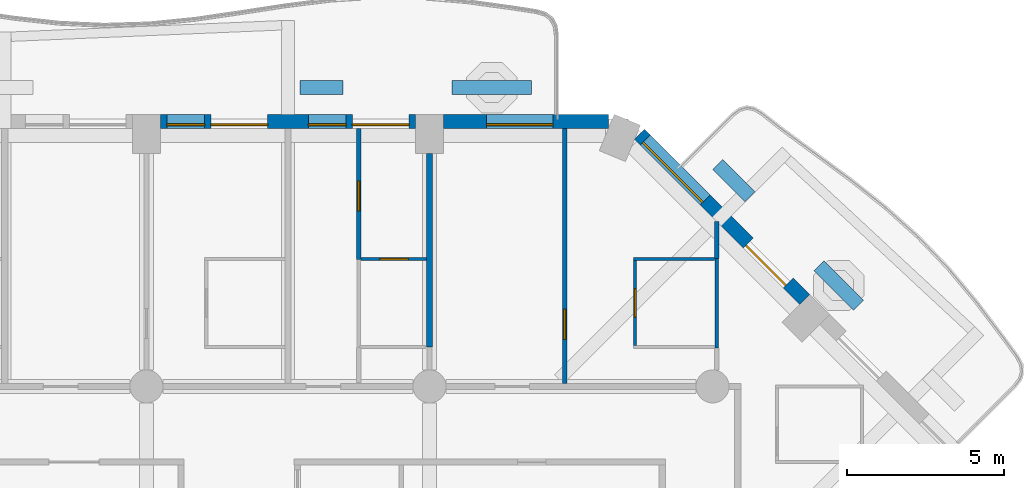
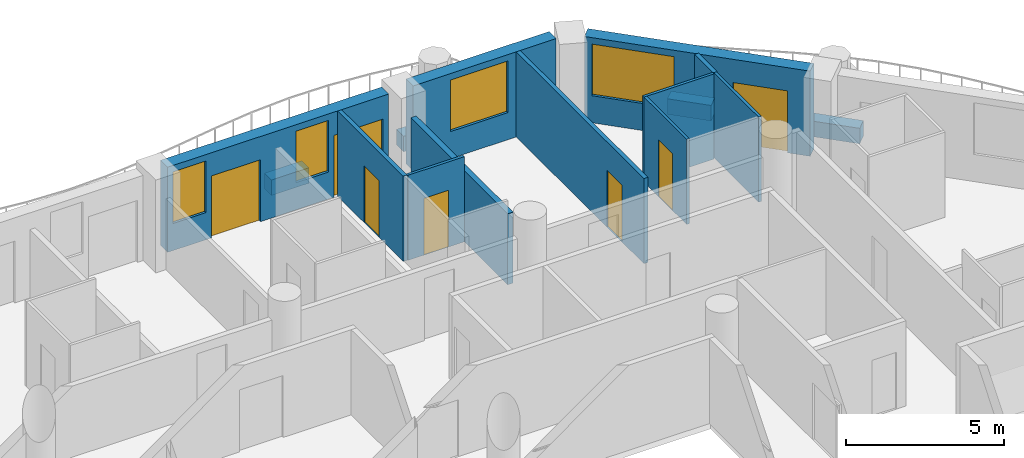
# One storey, part 10 of 20: 15 walls, 7 doors, 4 windows, 11 openings.
"""IFC4 building model written with IfcOpenShell, lengths in metres."""

from ifc_helpers import new_model, si_unit, direction, frame, frame_2d, origin, place, context, subcontext, project, spatial, rectangle, extrude, material, layer, layer_set, type_object, element, fill, save


model = new_model("IFC4")

# Units and contexts
model_context = context("Model", 3, precision=1e-05, world=origin(), true_north=direction((0.0, 1.0)))
body_context = subcontext(model_context, "Body", "Model", "MODEL_VIEW")
ifc_project = project(units=[si_unit("LENGTHUNIT", "METRE"), si_unit("AREAUNIT", "SQUARE_METRE"), si_unit("VOLUMEUNIT", "CUBIC_METRE"), si_unit("PLANEANGLEUNIT", "RADIAN"), si_unit("MASSUNIT", "GRAM", prefix="KILO")], contexts=[model_context])

# Site, building, storey
site_placement = place(None, origin())
site = spatial("IfcSite", under=ifc_project, at=site_placement, CompositionType="ELEMENT")
building_placement = place(site_placement, origin())
building = spatial("IfcBuilding", under=site, at=building_placement, Name="Cypress Arch Tower", CompositionType="ELEMENT")
storey_placement = place(building_placement, frame((0.0, 0.0, 134.699951171875)))
storey = spatial("IfcBuildingStorey", under=building, at=storey_placement, Name="L29", CompositionType="ELEMENT", Elevation=134.699951171875)

# Walls
ifc_material_1 = material(Name="Concrete C40/50, waterproofed", Category="concrete")
ifc_layer_1 = layer(ifc_material_1, 0.449951171875)
ifc_layer_set_1 = layer_set([ifc_layer_1], Name="Balcony planter wall PW450")
wall_type_1 = type_object("IfcWallType", Name="Balcony planter wall PW450", PredefinedType="SOLIDWALL", material=ifc_layer_set_1)
wall_1_placement = place(storey_placement, frame((19.9365234375, 20.07763671875, 0.0), z_axis=(0.0, 0.0, 1.0), x_axis=(-0.707106781187, 0.707106781187, 0.0)))
element("IfcWall", 1, at=wall_1_placement, inside=storey, type_object=wall_type_1, Name="Balcony planter wall L29-A07.2", PredefinedType="SOLIDWALL", context=body_context, shape_type="SweptSolid", body=[
    extrude(rectangle(XDim=1.780517578125, YDim=0.449951171875, at=frame_2d((0.89013671875, 0.0))), origin(), (0.0, 0.0, 1.0), 0.60009765625),
])
wall_2_placement = place(storey_placement, frame((16.485595703125, 23.528564453125, 0.0), z_axis=(0.0, 0.0, 1.0), x_axis=(-0.707022305137, 0.707191247145, 0.0)))
element("IfcWall", 2, at=wall_2_placement, inside=storey, type_object=wall_type_1, Name="Balcony planter wall L29-A07.3", PredefinedType="SOLIDWALL", context=body_context, shape_type="SweptSolid", body=[
    extrude(rectangle(XDim=1.445068359375, YDim=0.449951171875, at=frame_2d((0.72265625, 0.0))), origin(), (0.0, 0.0, 1.0), 0.60009765625),
])
wall_3_placement = place(storey_placement, frame((9.550048828125, 27.0, 0.0), z_axis=(0.0, 0.0, 1.0), x_axis=(-1.0, 0.0, 0.0)))
element("IfcWall", 3, at=wall_3_placement, inside=storey, type_object=wall_type_1, Name="Balcony planter wall L29-A08.1", PredefinedType="SOLIDWALL", context=body_context, shape_type="SweptSolid", body=[
    extrude(rectangle(XDim=2.53759765625, YDim=0.449951171875, at=frame_2d((1.268798828125, 0.0))), origin(), (0.0, 0.0, 1.0), 0.60009765625),
])
wall_4_placement = place(storey_placement, frame((3.550048828125, 27.0, 0.0), z_axis=(0.0, 0.0, 1.0), x_axis=(-1.0, 0.0, 0.0)))
element("IfcWall", 4, at=wall_4_placement, inside=storey, type_object=wall_type_1, Name="Balcony planter wall L29-A08.2", PredefinedType="SOLIDWALL", context=body_context, shape_type="SweptSolid", body=[
    extrude(rectangle(XDim=1.375, YDim=0.449951171875, at=frame_2d((0.6875, 0.0))), origin(), (0.0, 0.0, 1.0), 0.60009765625),
])

# Wall, openings, door, window
ifc_material_2 = material(Name="Brick (red buff blend)", Category="masonry")
ifc_layer_2 = layer(ifc_material_2, 0.449951171875)
ifc_layer_set_2 = layer_set([ifc_layer_2], Name="Brick pier and spandrel wall BW450")
wall_type_2 = type_object("IfcWallType", Name="Brick pier and spandrel wall BW450", PredefinedType="SOLIDWALL", material=ifc_layer_set_2)
wall_5_placement = place(storey_placement, frame((18.228759765625, 20.26513671875, 0.0), z_axis=(0.0, 0.0, 1.0), x_axis=(-0.707106781187, 0.707106781187, 0.0)))
wall_5 = element("IfcWall", 5, at=wall_5_placement, inside=storey, type_object=wall_type_2, Name="Brick wall L29 A07.1", PredefinedType="SOLIDWALL", context=body_context, shape_type="SweptSolid", body=[
    extrude(rectangle(XDim=7.423828125, YDim=0.449951171875, at=frame_2d((3.7119140625, 0.0))), origin(), (0.0, 0.0, 1.0), 3.300048828125),
])
opening_1_placement = place(wall_5_placement, frame((0.740234375, 0.0, 0.0)))
opening_1 = element("IfcOpeningElement", 6, at=opening_1_placement, cuts=wall_5, Name="Opening D-L29-A07.1.1", PredefinedType="OPENING", context=body_context, shape_type="SweptSolid", body=[
    extrude(rectangle(XDim=1.800048828125, YDim=2.39990234375, at=frame_2d((0.89990234375, 1.199951171875))), frame((0.0, 0.23486328125, 0.0), z_axis=(0.0, -1.0, 0.0), x_axis=(1.0, 0.0, 0.0)), (0.0, 0.0, 1.0), 0.469970703125),
])
opening_2_placement = place(wall_5_placement, frame((4.470703125, 0.0, 1.050048828125)))
opening_2 = element("IfcOpeningElement", 7, at=opening_2_placement, cuts=wall_5, Name="Opening W270HD", PredefinedType="OPENING", context=body_context, shape_type="SweptSolid", body=[
    extrude(rectangle(XDim=2.699951171875, YDim=2.0, at=frame_2d((1.35009765625, 1.0))), frame((0.0, 0.23486328125, 0.0), z_axis=(0.0, -1.0, 0.0), x_axis=(1.0, 0.0, 0.0)), (0.0, 0.0, 1.0), 0.469970703125),
])
ifc_material_3 = material(Name="Anodised aluminium, bronze finish, laminated low-emissivity double glazing, large-missile impact rated", Category="aluminium")
door_type_1 = type_object("IfcDoorType", Name="Balcony sliding door 1800x2400", OperationType="SLIDING_TO_LEFT", PredefinedType="DOOR", material=ifc_material_3)
door_1_placement = place(opening_1_placement, origin())
door_1 = element("IfcDoor", 8, at=door_1_placement, inside=storey, type_object=door_type_1, Name="Balcony door L29 A07.1.1", OperationType="SLIDING_TO_LEFT", OverallHeight=2.39990234375, OverallWidth=1.800048828125, PredefinedType="DOOR", context=body_context, shape_type="SweptSolid", body=[
    extrude(rectangle(XDim=1.800048828125, YDim=2.39990234375, at=frame_2d((0.89990234375, 1.199951171875))), frame((0.0, 0.1298828125, 0.0), z_axis=(0.0, -1.0, 0.0), x_axis=(1.0, 0.0, 0.0)), (0.0, 0.0, 1.0), 0.050048828125),
])
fill(opening_1, door_1)
ifc_material_4 = material(Name="Anodised aluminium, bronze finish, laminated low-emissivity double glazing, large-missile impact rated", Category="aluminium")
window_type_1 = type_object("IfcWindowType", Name="Window Hotel 2700x2000 debris-rated", PartitioningType="SINGLE_PANEL", PredefinedType="WINDOW", material=ifc_material_4)
window_1_placement = place(opening_2_placement, origin())
window_1 = element("IfcWindow", 9, at=window_1_placement, inside=storey, type_object=window_type_1, Name="Window L29 A07.1.2", OverallHeight=2.0, OverallWidth=2.699951171875, PartitioningType="SINGLE_PANEL", PredefinedType="WINDOW", context=body_context, shape_type="SweptSolid", body=[
    extrude(rectangle(XDim=2.699951171875, YDim=2.0, at=frame_2d((1.35009765625, 1.0))), frame((0.0, 0.135009765625, 0.0), z_axis=(0.0, -1.0, 0.0), x_axis=(1.0, 0.0, 0.0)), (0.0, 0.0, 1.0), 0.06005859375),
])
fill(opening_2, window_1)

# Wall, opening, window
wall_6_placement = place(storey_placement, frame((11.98876953125, 25.925048828125, 0.0), z_axis=(0.0, 0.0, 1.0), x_axis=(-1.0, 0.0, 0.0)))
wall_6 = element("IfcWall", 10, at=wall_6_placement, inside=storey, type_object=wall_type_2, Name="Brick wall L29 A08.0", PredefinedType="SOLIDWALL", context=body_context, shape_type="SweptSolid", body=[
    extrude(rectangle(XDim=5.23876953125, YDim=0.449951171875, at=frame_2d((2.619384765625, 0.0))), origin(), (0.0, 0.0, 1.0), 3.300048828125),
])
opening_3_placement = place(wall_6_placement, frame((1.769775390625, 0.0, 1.050048828125)))
opening_3 = element("IfcOpeningElement", 11, at=opening_3_placement, cuts=wall_6, Name="Opening W210HD", PredefinedType="OPENING", context=body_context, shape_type="SweptSolid", body=[
    extrude(rectangle(XDim=2.10009765625, YDim=2.0, at=frame_2d((1.050048828125, 1.0))), frame((0.0, 0.23486328125, 0.0), z_axis=(0.0, -1.0, 0.0), x_axis=(1.0, 0.0, 0.0)), (0.0, 0.0, 1.0), 0.469970703125),
])
ifc_material_5 = material(Name="Anodised aluminium, bronze finish, laminated low-emissivity double glazing, large-missile impact rated", Category="aluminium")
window_type_2 = type_object("IfcWindowType", Name="Window Hotel 2100x2000 debris-rated", PartitioningType="SINGLE_PANEL", PredefinedType="WINDOW", material=ifc_material_5)
window_2_placement = place(opening_3_placement, origin())
window_2 = element("IfcWindow", 12, at=window_2_placement, inside=storey, type_object=window_type_2, Name="Window L29 A08.0.1", OverallHeight=2.0, OverallWidth=2.10009765625, PartitioningType="SINGLE_PANEL", PredefinedType="WINDOW", context=body_context, shape_type="SweptSolid", body=[
    extrude(rectangle(XDim=2.10009765625, YDim=2.0, at=frame_2d((1.050048828125, 1.0))), frame((0.0, 0.135009765625, 0.0), z_axis=(0.0, -1.0, 0.0), x_axis=(1.0, 0.0, 0.0)), (0.0, 0.0, 1.0), 0.06005859375),
])
fill(opening_3, window_2)

# Wall, openings, doors, windows
wall_7_placement = place(storey_placement, frame((5.85009765625, 25.925048828125, 0.0), z_axis=(0.0, 0.0, 1.0), x_axis=(-1.0, 0.0, 0.0)))
wall_7 = element("IfcWall", 13, at=wall_7_placement, inside=storey, type_object=wall_type_2, Name="Brick wall L29 A08.1", PredefinedType="SOLIDWALL", context=body_context, shape_type="SweptSolid", body=[
    extrude(rectangle(XDim=8.10009765625, YDim=0.449951171875, at=frame_2d((4.050048828125, 0.0))), origin(), (0.0, 0.0, 1.0), 3.300048828125),
])
opening_4_placement = place(wall_7_placement, frame((0.199951171875, 0.0, 0.0)))
opening_4 = element("IfcOpeningElement", 14, at=opening_4_placement, cuts=wall_7, Name="Opening D-L29-A08.1.1", PredefinedType="OPENING", context=body_context, shape_type="SweptSolid", body=[
    extrude(rectangle(XDim=1.800048828125, YDim=2.39990234375, at=frame_2d((0.89990234375, 1.199951171875))), frame((0.0, 0.23486328125, 0.0), z_axis=(0.0, -1.0, 0.0), x_axis=(1.0, 0.0, 0.0)), (0.0, 0.0, 1.0), 0.469970703125),
])
opening_5_placement = place(wall_7_placement, frame((2.199951171875, 0.0, 1.050048828125)))
opening_5 = element("IfcOpeningElement", 15, at=opening_5_placement, cuts=wall_7, Name="Opening W120HD", PredefinedType="OPENING", context=body_context, shape_type="SweptSolid", body=[
    extrude(rectangle(XDim=1.199951171875, YDim=2.0, at=frame_2d((0.60009765625, 1.0))), frame((0.0, 0.23486328125, 0.0), z_axis=(0.0, -1.0, 0.0), x_axis=(1.0, 0.0, 0.0)), (0.0, 0.0, 1.0), 0.469970703125),
])
opening_6_placement = place(wall_7_placement, frame((4.699951171875, 0.0, 0.0)))
opening_6 = element("IfcOpeningElement", 16, at=opening_6_placement, cuts=wall_7, Name="Opening D-L29-A08.1.2", PredefinedType="OPENING", context=body_context, shape_type="SweptSolid", body=[
    extrude(rectangle(XDim=1.800048828125, YDim=2.39990234375, at=frame_2d((0.89990234375, 1.199951171875))), frame((0.0, 0.23486328125, 0.0), z_axis=(0.0, -1.0, 0.0), x_axis=(1.0, 0.0, 0.0)), (0.0, 0.0, 1.0), 0.469970703125),
])
opening_7_placement = place(wall_7_placement, frame((6.699951171875, 0.0, 1.050048828125)))
opening_7 = element("IfcOpeningElement", 17, at=opening_7_placement, cuts=wall_7, Name="Opening W120HD", PredefinedType="OPENING", context=body_context, shape_type="SweptSolid", body=[
    extrude(rectangle(XDim=1.199951171875, YDim=2.0, at=frame_2d((0.60009765625, 1.0))), frame((0.0, 0.23486328125, 0.0), z_axis=(0.0, -1.0, 0.0), x_axis=(1.0, 0.0, 0.0)), (0.0, 0.0, 1.0), 0.469970703125),
])
door_2_placement = place(opening_4_placement, origin())
door_2 = element("IfcDoor", 18, at=door_2_placement, inside=storey, type_object=door_type_1, Name="Balcony door L29 A08.1.1", OperationType="SLIDING_TO_LEFT", OverallHeight=2.39990234375, OverallWidth=1.800048828125, PredefinedType="DOOR", context=body_context, shape_type="SweptSolid", body=[
    extrude(rectangle(XDim=1.800048828125, YDim=2.39990234375, at=frame_2d((0.89990234375, 1.199951171875))), frame((0.0, 0.1298828125, 0.0), z_axis=(0.0, -1.0, 0.0), x_axis=(1.0, 0.0, 0.0)), (0.0, 0.0, 1.0), 0.050048828125),
])
fill(opening_4, door_2)
door_3_placement = place(opening_6_placement, origin())
door_3 = element("IfcDoor", 19, at=door_3_placement, inside=storey, type_object=door_type_1, Name="Balcony door L29 A08.1.2", OperationType="SLIDING_TO_LEFT", OverallHeight=2.39990234375, OverallWidth=1.800048828125, PredefinedType="DOOR", context=body_context, shape_type="SweptSolid", body=[
    extrude(rectangle(XDim=1.800048828125, YDim=2.39990234375, at=frame_2d((0.89990234375, 1.199951171875))), frame((0.0, 0.1298828125, 0.0), z_axis=(0.0, -1.0, 0.0), x_axis=(1.0, 0.0, 0.0)), (0.0, 0.0, 1.0), 0.050048828125),
])
fill(opening_6, door_3)
ifc_material_6 = material(Name="Anodised aluminium, bronze finish, laminated low-emissivity double glazing, large-missile impact rated", Category="aluminium")
window_type_3 = type_object("IfcWindowType", Name="Window Hotel 1200x2000 debris-rated", PartitioningType="SINGLE_PANEL", PredefinedType="WINDOW", material=ifc_material_6)
window_3_placement = place(opening_5_placement, origin())
window_3 = element("IfcWindow", 20, at=window_3_placement, inside=storey, type_object=window_type_3, Name="Window L29 A08.1.1", OverallHeight=2.0, OverallWidth=1.199951171875, PartitioningType="SINGLE_PANEL", PredefinedType="WINDOW", context=body_context, shape_type="SweptSolid", body=[
    extrude(rectangle(XDim=1.199951171875, YDim=2.0, at=frame_2d((0.60009765625, 1.0))), frame((0.0, 0.135009765625, 0.0), z_axis=(0.0, -1.0, 0.0), x_axis=(1.0, 0.0, 0.0)), (0.0, 0.0, 1.0), 0.06005859375),
])
fill(opening_5, window_3)
window_4_placement = place(opening_7_placement, origin())
window_4 = element("IfcWindow", 21, at=window_4_placement, inside=storey, type_object=window_type_3, Name="Window L29 A08.1.2", OverallHeight=2.0, OverallWidth=1.199951171875, PartitioningType="SINGLE_PANEL", PredefinedType="WINDOW", context=body_context, shape_type="SweptSolid", body=[
    extrude(rectangle(XDim=1.199951171875, YDim=2.0, at=frame_2d((0.60009765625, 1.0))), frame((0.0, 0.135009765625, 0.0), z_axis=(0.0, -1.0, 0.0), x_axis=(1.0, 0.0, 0.0)), (0.0, 0.0, 1.0), 0.06005859375),
])
fill(opening_7, window_4)

# Wall, opening, door
ifc_material_7 = material(Name="Blockwork, plastered both sides", Category="masonry")
ifc_layer_3 = layer(ifc_material_7, 0.14990234375)
ifc_layer_set_3 = layer_set([ifc_layer_3], Name="Partition PW150")
wall_type_3 = type_object("IfcWallType", Name="Partition PW150", PredefinedType="PARTITIONING", material=ifc_layer_set_3)
wall_8_placement = place(storey_placement, frame((4.050048828125, 21.530029296875, 0.0), z_axis=(0.0, 0.0, 1.0), x_axis=(0.0, 1.0, 0.0)))
wall_8 = element("IfcWall", 22, at=wall_8_placement, inside=storey, type_object=wall_type_3, Name="Partition", PredefinedType="PARTITIONING", context=body_context, shape_type="SweptSolid", body=[
    extrude(rectangle(XDim=4.169921875, YDim=0.14990234375, at=frame_2d((2.0849609375, 0.0))), origin(), (0.0, 0.0, 1.0), 3.300048828125),
])
opening_8_placement = place(wall_8_placement, frame((1.550048828125, 0.0, 0.0)))
opening_8 = element("IfcOpeningElement", 23, at=opening_8_placement, cuts=wall_8, Name="Opening D12", PredefinedType="OPENING", context=body_context, shape_type="SweptSolid", body=[
    extrude(rectangle(XDim=0.949951171875, YDim=2.199951171875, at=frame_2d((0.47509765625, 1.10009765625))), frame((0.0, 0.0849609375, 0.0), z_axis=(0.0, -1.0, 0.0), x_axis=(1.0, 0.0, 0.0)), (0.0, 0.0, 1.0), 0.169921875),
])
ifc_material_8 = material(Name="Timber flush door", Category="wood")
door_type_2 = type_object("IfcDoorType", Name="Room door D12 950x2200", OperationType="SINGLE_SWING_LEFT", PredefinedType="DOOR", material=ifc_material_8)
door_4_placement = place(opening_8_placement, origin())
door_4 = element("IfcDoor", 24, at=door_4_placement, inside=storey, type_object=door_type_2, Name="Room door", OperationType="SINGLE_SWING_LEFT", OverallHeight=2.199951171875, OverallWidth=0.949951171875, PredefinedType="DOOR", context=body_context, shape_type="SweptSolid", body=[
    extrude(rectangle(XDim=0.949951171875, YDim=2.199951171875, at=frame_2d((0.47509765625, 1.10009765625))), frame((0.0, 0.02490234375, 0.0), z_axis=(0.0, -1.0, 0.0), x_axis=(1.0, 0.0, 0.0)), (0.0, 0.0, 1.0), 0.050048828125),
])
fill(opening_8, door_4)

wall_9_placement = place(storey_placement, frame((10.60009765625, 17.60009765625, 0.0), z_axis=(0.0, 0.0, 1.0), x_axis=(0.0, 1.0, 0.0)))
wall_9 = element("IfcWall", 25, at=wall_9_placement, inside=storey, type_object=wall_type_3, Name="Partition", PredefinedType="PARTITIONING", context=body_context, shape_type="SweptSolid", body=[
    extrude(rectangle(XDim=8.099853515625, YDim=0.14990234375, at=frame_2d((4.0498046875, 0.0))), origin(), (0.0, 0.0, 1.0), 3.300048828125),
])
opening_9_placement = place(wall_9_placement, frame((1.39990234375, 0.0, 0.0)))
opening_9 = element("IfcOpeningElement", 26, at=opening_9_placement, cuts=wall_9, Name="Opening D12", PredefinedType="OPENING", context=body_context, shape_type="SweptSolid", body=[
    extrude(rectangle(XDim=0.949951171875, YDim=2.199951171875, at=frame_2d((0.47509765625, 1.10009765625))), frame((0.0, 0.0849609375, 0.0), z_axis=(0.0, -1.0, 0.0), x_axis=(1.0, 0.0, 0.0)), (0.0, 0.0, 1.0), 0.169921875),
])
door_5_placement = place(opening_9_placement, origin())
door_5 = element("IfcDoor", 27, at=door_5_placement, inside=storey, type_object=door_type_2, Name="Room door", OperationType="SINGLE_SWING_LEFT", OverallHeight=2.199951171875, OverallWidth=0.949951171875, PredefinedType="DOOR", context=body_context, shape_type="SweptSolid", body=[
    extrude(rectangle(XDim=0.949951171875, YDim=2.199951171875, at=frame_2d((0.47509765625, 1.10009765625))), frame((0.0, 0.02490234375, 0.0), z_axis=(0.0, -1.0, 0.0), x_axis=(1.0, 0.0, 0.0)), (0.0, 0.0, 1.0), 0.050048828125),
])
fill(opening_9, door_5)

# Walls
wall_10_placement = place(storey_placement, frame((15.431884765625, 21.570068359375, 0.0), z_axis=(0.0, 0.0, 1.0), x_axis=(0.0, 1.0, 0.0)))
element("IfcWall", 28, at=wall_10_placement, inside=storey, type_object=wall_type_3, Name="Partition", PredefinedType="PARTITIONING", context=body_context, shape_type="SweptSolid", body=[
    extrude(rectangle(XDim=1.173583984375, YDim=0.14990234375, at=frame_2d((0.5869140625, 0.0))), origin(), (0.0, 0.0, 1.0), 3.300048828125),
])
ifc_material_9 = material(Name="Dense blockwork, plastered both sides, acoustic and rated", Category="masonry")
ifc_layer_4 = layer(ifc_material_9, 0.199951171875)
ifc_layer_set_4 = layer_set([ifc_layer_4], Name="Party wall PW200")
wall_type_4 = type_object("IfcWallType", Name="Party wall PW200", PredefinedType="PARTITIONING", material=ifc_layer_set_4)
wall_11_placement = place(storey_placement, frame((6.300048828125, 18.75, 0.0), z_axis=(0.0, 0.0, 1.0), x_axis=(0.0, 1.0, 0.0)))
element("IfcWall", 29, at=wall_11_placement, inside=storey, type_object=wall_type_4, Name="Party wall", PredefinedType="PARTITIONING", context=body_context, shape_type="SweptSolid", body=[
    extrude(rectangle(XDim=6.14990234375, YDim=0.199951171875, at=frame_2d((3.074951171875, 0.0))), origin(), (0.0, 0.0, 1.0), 2.75),
])

# Wall, opening, door
ifc_material_10 = material(Name="Moisture resistant board on steel studs, tiled", Category="steel")
ifc_layer_5 = layer(ifc_material_10, 0.10009765625)
ifc_layer_set_5 = layer_set([ifc_layer_5], Name="Wet wall PW100")
wall_type_5 = type_object("IfcWallType", Name="Wet wall PW100", PredefinedType="PARTITIONING", material=ifc_layer_set_5)
wall_12_placement = place(storey_placement, frame((4.125, 21.550048828125, 0.0), z_axis=(0.0, 0.0, 1.0), x_axis=(1.0, 0.0, 0.0)))
wall_12 = element("IfcWall", 30, at=wall_12_placement, inside=storey, type_object=wall_type_5, Name="Wet wall", PredefinedType="PARTITIONING", context=body_context, shape_type="SweptSolid", body=[
    extrude(rectangle(XDim=2.074951171875, YDim=0.10009765625, at=frame_2d((1.03759765625, 0.0))), origin(), (0.0, 0.0, 1.0), 3.300048828125),
])
opening_10_placement = place(wall_12_placement, frame((0.60009765625, 0.0, 0.0)))
opening_10 = element("IfcOpeningElement", 31, at=opening_10_placement, cuts=wall_12, Name="Opening D03", PredefinedType="OPENING", context=body_context, shape_type="SweptSolid", body=[
    extrude(rectangle(XDim=0.89990234375, YDim=2.199951171875, at=frame_2d((0.449951171875, 1.10009765625))), frame((0.0, 0.06005859375, 0.0), z_axis=(0.0, -1.0, 0.0), x_axis=(1.0, 0.0, 0.0)), (0.0, 0.0, 1.0), 0.1201171875),
])
ifc_material_11 = material(Name="Timber flush door, moisture resistant", Category="wood")
door_type_3 = type_object("IfcDoorType", Name="Bathroom door D03 900x2200", OperationType="SINGLE_SWING_LEFT", PredefinedType="DOOR", material=ifc_material_11)
door_6_placement = place(opening_10_placement, origin())
door_6 = element("IfcDoor", 32, at=door_6_placement, inside=storey, type_object=door_type_3, Name="Bathroom door", OperationType="SINGLE_SWING_LEFT", OverallHeight=2.199951171875, OverallWidth=0.89990234375, PredefinedType="DOOR", context=body_context, shape_type="SweptSolid", body=[
    extrude(rectangle(XDim=0.89990234375, YDim=2.199951171875, at=frame_2d((0.449951171875, 1.10009765625))), frame((0.0, 0.02490234375, 0.0), z_axis=(0.0, -1.0, 0.0), x_axis=(1.0, 0.0, 0.0)), (0.0, 0.0, 1.0), 0.050048828125),
])
fill(opening_10, door_6)

wall_13_placement = place(storey_placement, frame((12.8359375, 18.800048828125, 0.0), z_axis=(0.0, 0.0, 1.0), x_axis=(0.0, 1.0, 0.0)))
wall_13 = element("IfcWall", 33, at=wall_13_placement, inside=storey, type_object=wall_type_5, Name="Wet wall", PredefinedType="PARTITIONING", context=body_context, shape_type="SweptSolid", body=[
    extrude(rectangle(XDim=2.699951171875, YDim=0.10009765625, at=frame_2d((1.35009765625, 0.0))), origin(), (0.0, 0.0, 1.0), 3.300048828125),
])
opening_11_placement = place(wall_13_placement, frame((0.89990234375, 0.0, 0.0)))
opening_11 = element("IfcOpeningElement", 34, at=opening_11_placement, cuts=wall_13, Name="Opening D03", PredefinedType="OPENING", context=body_context, shape_type="SweptSolid", body=[
    extrude(rectangle(XDim=0.89990234375, YDim=2.199951171875, at=frame_2d((0.449951171875, 1.10009765625))), frame((0.0, 0.06005859375, 0.0), z_axis=(0.0, -1.0, 0.0), x_axis=(1.0, 0.0, 0.0)), (0.0, 0.0, 1.0), 0.1201171875),
])
door_7_placement = place(opening_11_placement, origin())
door_7 = element("IfcDoor", 35, at=door_7_placement, inside=storey, type_object=door_type_3, Name="Bathroom door", OperationType="SINGLE_SWING_LEFT", OverallHeight=2.199951171875, OverallWidth=0.89990234375, PredefinedType="DOOR", context=body_context, shape_type="SweptSolid", body=[
    extrude(rectangle(XDim=0.89990234375, YDim=2.199951171875, at=frame_2d((0.449951171875, 1.10009765625))), frame((0.0, 0.02490234375, 0.0), z_axis=(0.0, -1.0, 0.0), x_axis=(1.0, 0.0, 0.0)), (0.0, 0.0, 1.0), 0.050048828125),
])
fill(opening_11, door_7)

# Walls
wall_14_placement = place(storey_placement, frame((12.785888671875, 21.550048828125, 0.0), z_axis=(0.0, 0.0, 1.0), x_axis=(1.0, 0.0, 0.0)))
element("IfcWall", 36, at=wall_14_placement, inside=storey, type_object=wall_type_5, Name="Wet wall", PredefinedType="PARTITIONING", context=body_context, shape_type="SweptSolid", body=[
    extrude(rectangle(XDim=2.571044921875, YDim=0.10009765625, at=frame_2d((1.28564453125, 0.0))), origin(), (0.0, 0.0, 1.0), 3.300048828125),
])
wall_15_placement = place(storey_placement, frame((15.431884765625, 18.72998046875, 0.0), z_axis=(0.0, 0.0, 1.0), x_axis=(0.0, 1.0, 0.0)))
element("IfcWall", 37, at=wall_15_placement, inside=storey, type_object=wall_type_5, Name="Wet wall", PredefinedType="PARTITIONING", context=body_context, shape_type="SweptSolid", body=[
    extrude(rectangle(XDim=2.840087890625, YDim=0.10009765625, at=frame_2d((1.419921875, 0.0))), origin(), (0.0, 0.0, 1.0), 3.300048828125),
])

save(model, "model.ifc")
